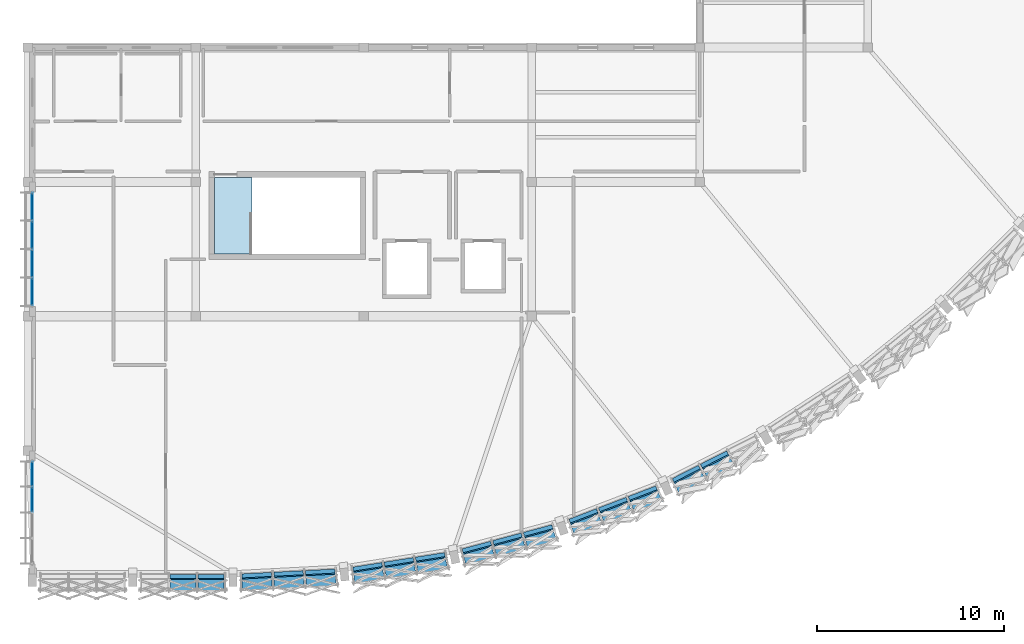
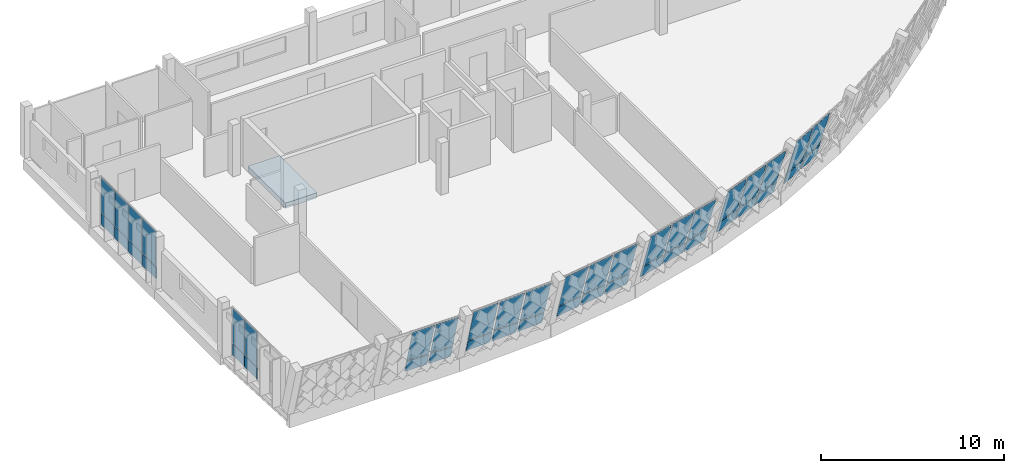
# One storey, part 18 of 24: 44 plates, 1 slab, 8 elements without a shape of their own.
"""IFC4 building model written with IfcOpenShell, lengths in metres."""

from ifc_helpers import new_model, si_unit, direction, frame, origin, origin_2d, place, context, subcontext, project, spatial, polyline, rectangle, outline, extrude, material, layer, layer_set, type_object, element, aggregate, save


model = new_model("IFC4")

# Units and contexts
model_context = context("Model", 3, precision=1e-05, world=origin(), true_north=direction((0.0, 1.0)))
body_context = subcontext(model_context, "Body", "Model", "MODEL_VIEW")
ifc_project = project(units=[si_unit("LENGTHUNIT", "METRE"), si_unit("AREAUNIT", "SQUARE_METRE"), si_unit("VOLUMEUNIT", "CUBIC_METRE"), si_unit("PLANEANGLEUNIT", "RADIAN"), si_unit("MASSUNIT", "GRAM", prefix="KILO")], contexts=[model_context])

# Site, building, storey
site_placement = place(None, origin())
site = spatial("IfcSite", under=ifc_project, at=site_placement, CompositionType="ELEMENT")
building_placement = place(site_placement, origin())
building = spatial("IfcBuilding", under=site, at=building_placement, Name="Chiffa Square Polytechnic", CompositionType="ELEMENT")
storey_placement = place(building_placement, frame((0.0, 0.0, 26.39990234375)))
storey = spatial("IfcBuildingStorey", under=building, at=storey_placement, Name="L06", CompositionType="ELEMENT", Elevation=26.39990234375)

# Curtain wall, plates
ifc_material_1 = material(Name="Aluminium EN AW-6060 T66 and glulam shading", Category="wood")
curtain_wall_type_1 = type_object("IfcCurtainWallType", Name="CW-PROW-LEAN-300", PredefinedType="USERDEFINED", material=ifc_material_1)
curtain_wall_1_placement = place(storey_placement, origin())
curtain_wall_1 = element("IfcCurtainWall", 1, at=curtain_wall_1_placement, inside=storey, type_object=curtain_wall_type_1, Name="Outward-leaning diamond-fin prow curtain wall CW-V1-L06-096", ObjectType="CURTAIN WALL", PredefinedType="USERDEFINED")
ifc_material_2 = material(Name="Double glazing", Category="glass")
ifc_layer_1 = layer(ifc_material_2, 0.035888671875, Name="Double glazing")
ifc_layer_set_1 = layer_set([ifc_layer_1], Name="Double glazing")
plate_type_1 = type_object("IfcPlateType", Name="CWP-GLZ-120X145", PredefinedType="CURTAIN_PANEL", material=ifc_layer_set_1)
plate_1_placement = place(storey_placement, frame((119.814208984375, 0.347412109375, 0.878173828125), z_axis=(0.0, 0.9622055391, 0.272324256219), x_axis=(1.0, 0.0, 0.0)))
plate_1 = element("IfcPlate", 2, at=plate_1_placement, type_object=plate_type_1, Name="Leaning prow curtain panel CW-V1-L06-096-PN02", PredefinedType="CURTAIN_PANEL", context=body_context, shape_type="SweptSolid", body=[
    extrude(outline(polyline([(0.0, 0.0), (1.396484375, 0.0), (1.396484375, -2.3820193236926053), (0.0, -2.3820193236926053), (0.0, 0.0)])), origin(), (0.0, 0.0, -1.0), 0.035888671875),
])
plate_2_placement = place(storey_placement, frame((121.319091796875, 0.347412109375, 0.878173828125), z_axis=(0.0, 0.9622055391, 0.272324256219), x_axis=(1.0, 0.0, 0.0)))
plate_2 = element("IfcPlate", 3, at=plate_2_placement, type_object=plate_type_1, Name="Leaning prow curtain panel CW-V1-L06-096-PN03", PredefinedType="CURTAIN_PANEL", context=body_context, shape_type="SweptSolid", body=[
    extrude(outline(polyline([(0.0, 0.0), (1.396728515625, 0.0), (1.396728515625, -2.3820193236926053), (0.0, -2.3820193236926053), (0.0, 0.0)])), origin(), (0.0, 0.0, -1.0), 0.035888671875),
])

curtain_wall_type_2 = type_object("IfcCurtainWallType", Name="CW-VERT-450X380", PredefinedType="USERDEFINED", material=ifc_material_1)
curtain_wall_2_placement = place(storey_placement, origin())
curtain_wall_2 = element("IfcCurtainWall", 4, at=curtain_wall_2_placement, inside=storey, type_object=curtain_wall_type_2, Name="Curtain wall CW-V1-L06-146", ObjectType="CURTAIN WALL", PredefinedType="USERDEFINED")
ifc_layer_2 = layer(ifc_material_2, 0.0439453125, Name="Double glazing")
ifc_layer_set_2 = layer_set([ifc_layer_2], Name="Double glazing")
plate_type_2 = type_object("IfcPlateType", Name="CWP-GLZ-134X118", PredefinedType="CURTAIN_PANEL", material=ifc_layer_set_2)
plate_3_placement = place(storey_placement, frame((112.449951171875, 5.9580078125, 0.840087890625), z_axis=(0.0, 0.0, 1.0), x_axis=(0.0, -1.0, 0.0)))
plate_3 = element("IfcPlate", 5, at=plate_3_placement, type_object=plate_type_2, Name="Glazed curtain panel CW-V1-L06-146-PN01", PredefinedType="CURTAIN_PANEL", context=body_context, shape_type="SweptSolid", body=[
    extrude(rectangle(XDim=1.306884765625, YDim=0.0439453125, at=origin_2d()), origin(), (0.0, 0.0, 1.0), 2.330078125),
])
plate_4_placement = place(storey_placement, frame((112.449951171875, 4.587890625, 0.840087890625), z_axis=(0.0, 0.0, 1.0), x_axis=(0.0, -1.0, 0.0)))
plate_4 = element("IfcPlate", 6, at=plate_4_placement, type_object=plate_type_2, Name="Glazed curtain panel CW-V1-L06-146-PN02", PredefinedType="CURTAIN_PANEL", context=body_context, shape_type="SweptSolid", body=[
    extrude(rectangle(XDim=1.3291015625, YDim=0.0439453125, at=origin_2d()), origin(), (0.0, 0.0, 1.0), 2.330078125),
])

curtain_wall_type_3 = type_object("IfcCurtainWallType", Name="CW-VERT-600X440", PredefinedType="USERDEFINED", material=ifc_material_1)
curtain_wall_3_placement = place(storey_placement, origin())
curtain_wall_3 = element("IfcCurtainWall", 7, at=curtain_wall_3_placement, inside=storey, type_object=curtain_wall_type_3, Name="Curtain wall CW-V1-L06-145", ObjectType="CURTAIN WALL", PredefinedType="USERDEFINED")
ifc_layer_3 = layer(ifc_material_2, 0.0419921875, Name="Double glazing")
ifc_layer_set_3 = layer_set([ifc_layer_3], Name="Double glazing")
plate_type_3 = type_object("IfcPlateType", Name="CWP-GLZ-136X122", PredefinedType="CURTAIN_PANEL", material=ifc_layer_set_3)
plate_5_placement = place(storey_placement, frame((112.449951171875, 20.283935546875, 0.840087890625), z_axis=(0.0, 0.0, 1.0), x_axis=(0.0, -1.0, 0.0)))
plate_5 = element("IfcPlate", 8, at=plate_5_placement, type_object=plate_type_3, Name="Glazed curtain panel CW-V1-L06-145-PN01", PredefinedType="CURTAIN_PANEL", context=body_context, shape_type="SweptSolid", body=[
    extrude(rectangle(XDim=1.4560546875, YDim=0.0419921875, at=origin_2d()), origin(), (0.0, 0.0, 1.0), 2.330078125),
])
plate_6_placement = place(storey_placement, frame((112.449951171875, 18.764892578125, 0.840087890625), z_axis=(0.0, 0.0, 1.0), x_axis=(0.0, -1.0, 0.0)))
plate_6 = element("IfcPlate", 9, at=plate_6_placement, type_object=plate_type_3, Name="Glazed curtain panel CW-V1-L06-145-PN02", PredefinedType="CURTAIN_PANEL", context=body_context, shape_type="SweptSolid", body=[
    extrude(rectangle(XDim=1.47802734375, YDim=0.0419921875, at=origin_2d()), origin(), (0.0, 0.0, 1.0), 2.330078125),
])
plate_7_placement = place(storey_placement, frame((112.449951171875, 17.235107421875, 0.840087890625), z_axis=(0.0, 0.0, 1.0), x_axis=(0.0, -1.0, 0.0)))
plate_7 = element("IfcPlate", 10, at=plate_7_placement, type_object=plate_type_3, Name="Glazed curtain panel CW-V1-L06-145-PN03", PredefinedType="CURTAIN_PANEL", context=body_context, shape_type="SweptSolid", body=[
    extrude(rectangle(XDim=1.47802734375, YDim=0.0419921875, at=origin_2d()), origin(), (0.0, 0.0, 1.0), 2.330078125),
])
plate_8_placement = place(storey_placement, frame((112.449951171875, 15.716064453125, 0.840087890625), z_axis=(0.0, 0.0, 1.0), x_axis=(0.0, -1.0, 0.0)))
plate_8 = element("IfcPlate", 11, at=plate_8_placement, type_object=plate_type_3, Name="Glazed curtain panel CW-V1-L06-145-PN04", PredefinedType="CURTAIN_PANEL", context=body_context, shape_type="SweptSolid", body=[
    extrude(rectangle(XDim=1.4560546875, YDim=0.0419921875, at=origin_2d()), origin(), (0.0, 0.0, 1.0), 2.330078125),
])

curtain_wall_type_4 = type_object("IfcCurtainWallType", Name="CW-PROW-LEAN-150", PredefinedType="USERDEFINED", material=ifc_material_1)
curtain_wall_4_placement = place(storey_placement, origin())
curtain_wall_4 = element("IfcCurtainWall", 12, at=curtain_wall_4_placement, inside=storey, type_object=curtain_wall_type_4, Name="Outward-leaning diamond-fin prow curtain wall CW-V1-L06-101", ObjectType="CURTAIN WALL", PredefinedType="USERDEFINED")
ifc_layer_4 = layer(ifc_material_2, 0.0400390625, Name="Double glazing")
ifc_layer_set_4 = layer_set([ifc_layer_4], Name="Double glazing")
plate_type_4 = type_object("IfcPlateType", Name="CWP-GLZ-140X130", PredefinedType="CURTAIN_PANEL", material=ifc_layer_set_4)
plate_9_placement = place(storey_placement, frame((146.822509765625, 5.498779296875, 0.878173828125), z_axis=(-0.436909812525, 0.857421657445, 0.271915275526), x_axis=(0.890993848319, 0.454015376648, 4.92241e-06)))
plate_9 = element("IfcPlate", 13, at=plate_9_placement, type_object=plate_type_4, Name="Leaning prow curtain panel CW-V1-L06-101-PN01", PredefinedType="CURTAIN_PANEL", context=body_context, shape_type="SweptSolid", body=[
    extrude(outline(polyline([(0.0, 0.0), (1.5799237563479638, 2.7755575615628914e-17), (1.5677944562868464, -2.3817250221468753), (-0.03298431279586946, -2.381741291892526), (0.0, 0.0)])), origin(), (0.0, 0.0, -1.0), 0.0400390625),
])
plate_10_placement = place(storey_placement, frame((148.33935546875, 6.271728515625, 0.878173828125), z_axis=(-0.43693927238, 0.857405601778, 0.27191856555), x_axis=(0.890976839237, 0.454048755008, -4.318133e-06)))
plate_10 = element("IfcPlate", 14, at=plate_10_placement, type_object=plate_type_4, Name="Leaning prow curtain panel CW-V1-L06-101-PN02", PredefinedType="CURTAIN_PANEL", context=body_context, shape_type="SweptSolid", body=[
    extrude(outline(polyline([(0.0, 0.0), (1.579706230570246, -2.7755575615628914e-17), (1.5902417263702622, -2.3817424782335688), (-0.010537042790455722, -2.381728206728913), (0.0, 0.0)])), origin(), (0.0, 0.0, -1.0), 0.0400390625),
])

curtain_wall_5_placement = place(storey_placement, origin())
curtain_wall_5 = element("IfcCurtainWall", 15, at=curtain_wall_5_placement, inside=storey, type_object=curtain_wall_type_1, Name="Outward-leaning diamond-fin prow curtain wall CW-V1-L06-100", ObjectType="CURTAIN WALL", PredefinedType="USERDEFINED")
ifc_layer_5 = layer(ifc_material_2, 0.0400390625, Name="Double glazing")
ifc_layer_set_5 = layer_set([ifc_layer_5], Name="Double glazing")
plate_type_5 = type_object("IfcPlateType", Name="CWP-GLZ-144X134", PredefinedType="CURTAIN_PANEL", material=ifc_layer_set_5)
plate_11_placement = place(storey_placement, frame((141.27294921875, 3.313720703125, 0.878173828125), z_axis=(-0.344786676387, 0.898454398365, 0.27184893203), x_axis=(0.933613034826, 0.358282990146, -1.3217072e-05)))
plate_11 = element("IfcPlate", 16, at=plate_11_placement, type_object=plate_type_5, Name="Leaning prow curtain panel CW-V1-L06-100-PN01", PredefinedType="CURTAIN_PANEL", context=body_context, shape_type="SweptSolid", body=[
    extrude(outline(polyline([(0.0, 0.0), (1.5800166529707897, 0.0), (1.5678839196188012, -2.381708186175665), (-0.03299150593267062, -2.3816644988288753), (0.0, 0.0)])), origin(), (0.0, 0.0, -1.0), 0.0400390625),
])
plate_12_placement = place(storey_placement, frame((142.8623046875, 3.923828125, 0.878173828125), z_axis=(-0.3448430975, 0.898408960802, 0.271927522065), x_axis=(0.933589257648, 0.358344942722, 5.53015e-06)))
plate_12 = element("IfcPlate", 17, at=plate_12_placement, type_object=plate_type_5, Name="Leaning prow curtain panel CW-V1-L06-100-PN02", PredefinedType="CURTAIN_PANEL", context=body_context, shape_type="SweptSolid", body=[
    extrude(outline(polyline([(0.0, 0.0), (1.580016654511493, 0.0), (1.5906006309125456, -2.381732465642904), (-0.010362272094110794, -2.3817507457739273), (0.0, 0.0)])), origin(), (0.0, 0.0, -1.0), 0.0400390625),
])
plate_13_placement = place(storey_placement, frame((144.451904296875, 4.533935546875, 0.878173828125), z_axis=(-0.344892383283, 0.898389626363, 0.271928893639), x_axis=(0.933569532611, 0.358396327757, 5.435535e-06)))
plate_13 = element("IfcPlate", 18, at=plate_13_placement, type_object=plate_type_5, Name="Leaning prow curtain panel CW-V1-L06-100-PN03", PredefinedType="CURTAIN_PANEL", context=body_context, shape_type="SweptSolid", body=[
    extrude(outline(polyline([(0.0, 0.0), (1.5797887281678509, 0.0), (1.6128256255377644, -2.381733455740014), (0.012090645228946737, -2.381751420548637), (0.0, 0.0)])), origin(), (0.0, 0.0, -1.0), 0.0400390625),
])

curtain_wall_6_placement = place(storey_placement, origin())
curtain_wall_6 = element("IfcCurtainWall", 19, at=curtain_wall_6_placement, inside=storey, type_object=curtain_wall_type_4, Name="Outward-leaning diamond-fin prow curtain wall CW-V1-L06-099", ObjectType="CURTAIN WALL", PredefinedType="USERDEFINED")
ifc_layer_6 = layer(ifc_material_2, 0.0380859375, Name="Double glazing")
ifc_layer_set_6 = layer_set([ifc_layer_6], Name="Double glazing")
plate_type_6 = type_object("IfcPlateType", Name="CWP-GLZ-146X138", PredefinedType="CURTAIN_PANEL", material=ifc_layer_set_6)
plate_14_placement = place(storey_placement, frame((135.52587890625, 1.7197265625, 0.878173828125), z_axis=(-0.249300779563, 0.929467173109, 0.271918913321), x_axis=(0.965861695021, 0.259058267352, 1.4409048e-05)))
plate_14 = element("IfcPlate", 20, at=plate_14_placement, type_object=plate_type_6, Name="Leaning prow curtain panel CW-V1-L06-099-PN01", PredefinedType="CURTAIN_PANEL", context=body_context, shape_type="SweptSolid", body=[
    extrude(outline(polyline([(0.0, 0.0), (1.579789367666892, 0.0), (1.5674065539781037, -2.381712116791202), (-0.033409391041289295, -2.3817597407473423), (0.0, 0.0)])), origin(), (0.0, 0.0, -1.0), 0.0380859375),
])
plate_15_placement = place(storey_placement, frame((137.170166015625, 2.160888671875, 0.878173828125), z_axis=(-0.249209997653, 0.929477952124, 0.271965280111), x_axis=(0.965885013291, 0.258971313275, 2.79352e-07)))
plate_15 = element("IfcPlate", 21, at=plate_15_placement, type_object=plate_type_6, Name="Leaning prow curtain panel CW-V1-L06-099-PN02", PredefinedType="CURTAIN_PANEL", context=body_context, shape_type="SweptSolid", body=[
    extrude(outline(polyline([(0.0, 0.0), (1.5800251804521968, -1.3877787807814457e-17), (1.5901097106637059, -2.381767554056141), (-0.010642994198141435, -2.3817684774182935), (0.0, 0.0)])), origin(), (0.0, 0.0, -1.0), 0.0380859375),
])
plate_16_placement = place(storey_placement, frame((138.814697265625, 2.601806640625, 0.878173828125), z_axis=(-0.249300704356, 0.929466892714, 0.27191994071), x_axis=(0.965861695029, 0.259058267322, 1.4409098e-05)))
plate_16 = element("IfcPlate", 22, at=plate_16_placement, type_object=plate_type_6, Name="Leaning prow curtain panel CW-V1-L06-099-PN03", PredefinedType="CURTAIN_PANEL", context=body_context, shape_type="SweptSolid", body=[
    extrude(outline(polyline([(0.0, 0.0), (1.5797893676668933, -2.7755575615628914e-17), (1.6126516811249705, -2.381712157738772), (0.01183573610558143, -2.3817597818748495), (0.0, 0.0)])), origin(), (0.0, 0.0, -1.0), 0.0380859375),
])

curtain_wall_7_placement = place(storey_placement, origin())
curtain_wall_7 = element("IfcCurtainWall", 23, at=curtain_wall_7_placement, inside=storey, type_object=curtain_wall_type_1, Name="Outward-leaning diamond-fin prow curtain wall CW-V1-L06-098", ObjectType="CURTAIN WALL", PredefinedType="USERDEFINED")
ifc_layer_7 = layer(ifc_material_2, 0.0380859375, Name="Double glazing")
ifc_layer_set_7 = layer_set([ifc_layer_7], Name="Double glazing")
plate_type_7 = type_object("IfcPlateType", Name="CWP-GLZ-148X142", PredefinedType="CURTAIN_PANEL", material=ifc_layer_set_7)
plate_17_placement = place(storey_placement, frame((129.6435546875, 0.736328125, 0.878173828125), z_axis=(-0.15062483728, 0.950436074762, 0.271998945193), x_axis=(0.987673240892, 0.156529770548, -1.2571771e-05)))
plate_17 = element("IfcPlate", 24, at=plate_17_placement, type_object=plate_type_7, Name="Leaning prow curtain panel CW-V1-L06-098-PN01", PredefinedType="CURTAIN_PANEL", context=body_context, shape_type="SweptSolid", body=[
    extrude(outline(polyline([(0.0, 0.0), (1.579540201871366, 0.0), (1.567297432245007, -2.381812041962707), (-0.03347684817465922, -2.381770493291026), (0.0, 0.0)])), origin(), (0.0, 0.0, -1.0), 0.0380859375),
])
plate_18_placement = place(storey_placement, frame((131.32470703125, 1.002685546875, 0.878173828125), z_axis=(-0.150615487594, 0.950450945987, 0.271952154193), x_axis=(0.987675262769, 0.156517012575, -9.381719e-06)))
plate_18 = element("IfcPlate", 25, at=plate_18_placement, type_object=plate_type_7, Name="Leaning prow curtain panel CW-V1-L06-098-PN02", PredefinedType="CURTAIN_PANEL", context=body_context, shape_type="SweptSolid", body=[
    extrude(outline(polyline([(0.0, 0.0), (1.5797813325433683, 1.3877787807814457e-17), (1.5900704069163532, -2.3817743363567896), (-0.010703874479279079, -2.381743328618513), (0.0, 0.0)])), origin(), (0.0, 0.0, -1.0), 0.0380859375),
])
plate_19_placement = place(storey_placement, frame((133.005859375, 1.269287109375, 0.878173828125), z_axis=(-0.150550722731, 0.950434543013, 0.272045325878), x_axis=(0.987686275697, 0.15644750112, 1.3870504e-05)))
plate_19 = element("IfcPlate", 26, at=plate_19_placement, type_object=plate_type_7, Name="Leaning prow curtain panel CW-V1-L06-098-PN03", PredefinedType="CURTAIN_PANEL", context=body_context, shape_type="SweptSolid", body=[
    extrude(outline(polyline([(0.0, 0.0), (1.5797431296668099, 0.0), (1.6126090457943405, -2.3818007734814723), (0.012075898506862514, -2.381846614432183), (0.0, 0.0)])), origin(), (0.0, 0.0, -1.0), 0.0380859375),
])

curtain_wall_8_placement = place(storey_placement, origin())
curtain_wall_8 = element("IfcCurtainWall", 27, at=curtain_wall_8_placement, inside=storey, type_object=curtain_wall_type_4, Name="Outward-leaning diamond-fin prow curtain wall CW-V1-L06-097", ObjectType="CURTAIN WALL", PredefinedType="USERDEFINED")
ifc_layer_8 = layer(ifc_material_2, 0.035888671875, Name="Double glazing")
ifc_layer_set_8 = layer_set([ifc_layer_8], Name="Double glazing")
plate_type_8 = type_object("IfcPlateType", Name="CWP-GLZ-180X140", PredefinedType="CURTAIN_PANEL", material=ifc_layer_set_8)
plate_20_placement = place(storey_placement, frame((123.690185546875, 0.373779296875, 0.878173828125), z_axis=(-0.050155042758, 0.960997211023, 0.271972116386), x_axis=(0.998640997579, 0.052116771276, 1.0332271e-05)))
plate_20 = element("IfcPlate", 28, at=plate_20_placement, type_object=plate_type_8, Name="Leaning prow curtain panel CW-V1-L06-097-PN01", PredefinedType="CURTAIN_PANEL", context=body_context, shape_type="SweptSolid", body=[
    extrude(outline(polyline([(0.0, 0.0), (1.5797806343441558, 6.938893903907228e-18), (1.5677597287585823, -2.3817559647805324), (-0.03305208469889139, -2.381790114804808), (0.0, 0.0)])), origin(), (0.0, 0.0, -1.0), 0.035888671875),
])
plate_21_placement = place(storey_placement, frame((125.39013671875, 0.46240234375, 0.878173828125), z_axis=(-0.050228212969, 0.960983898119, 0.272005651003), x_axis=(0.998636699714, 0.05219906019, -9.997983e-06)))
plate_21 = element("IfcPlate", 29, at=plate_21_placement, type_object=plate_type_8, Name="Leaning prow curtain panel CW-V1-L06-097-PN02", PredefinedType="CURTAIN_PANEL", context=body_context, shape_type="SweptSolid", body=[
    extrude(outline(polyline([(0.0, 0.0), (1.5797933681384178, 0.0), (1.5903975934569299, -2.381812781468613), (-0.010414220095586868, -2.381779735870554), (0.0, 0.0)])), origin(), (0.0, 0.0, -1.0), 0.035888671875),
])
plate_22_placement = place(storey_placement, frame((127.090087890625, 0.55126953125, 0.878173828125), z_axis=(-0.050227081979, 0.960962259631, 0.272082296008), x_axis=(0.998636699631, 0.05219906178, -1.0000575e-05)))
plate_22 = element("IfcPlate", 30, at=plate_22_placement, type_object=plate_type_8, Name="Leaning prow curtain panel CW-V1-L06-097-PN03", PredefinedType="CURTAIN_PANEL", context=body_context, shape_type="SweptSolid", body=[
    extrude(outline(polyline([(0.0, 0.0), (1.579793368138466, 0.0), (1.6128788786259254, -2.3818666519129077), (0.012067065073553433, -2.381833597003351), (0.0, 0.0)])), origin(), (0.0, 0.0, -1.0), 0.035888671875),
])

# Plate
ifc_material_3 = material(Name="Aluminium insulated spandrel", Category="aluminium")
ifc_layer_9 = layer(ifc_material_3, 0.072021484375, Name="Aluminium insulated spandrel")
ifc_layer_set_9 = layer_set([ifc_layer_9], Name="Aluminium insulated spandrel")
plate_type_9 = type_object("IfcPlateType", Name="CWP-SPN-136X072", PredefinedType="SHEET", material=ifc_layer_set_9)
plate_23_placement = place(storey_placement, frame((146.72705078125, 5.712890625, 0.050048828125), z_axis=(-0.436899493986, 0.857399416452, 0.272001972094), x_axis=(0.89099685964, 0.454009465877, 3.1713053e-05)))
plate_23 = element("IfcPlate", 31, at=plate_23_placement, type_object=plate_type_9, Name="Leaning prow curtain panel CW-V1-L06-101-SP01", PredefinedType="SHEET", context=body_context, shape_type="SweptSolid", body=[
    extrude(outline(polyline([(0.0, 0.0), (1.572170324553921, -2.7755575615628914e-17), (1.5682422111974996, -0.8021672814411267), (-0.011246487462572638, -0.8022711462148887), (0.0, 0.0)])), origin(), (0.0, 0.0, -1.0), 0.072021484375),
])

plate_24_placement = place(storey_placement, frame((148.236572265625, 6.48193359375, 0.050048828125), z_axis=(-0.4369511797, 0.857351743142, 0.272069210111), x_axis=(0.890960264469, 0.454081278095, -4.54545e-06)))
plate_24 = element("IfcPlate", 32, at=plate_24_placement, type_object=plate_type_9, Name="Leaning prow curtain panel CW-V1-L06-101-SP02", PredefinedType="SHEET", context=body_context, shape_type="SweptSolid", body=[
    extrude(outline(polyline([(0.0, 0.0), (1.5720636460960287, 0.0), (1.5756216950232247, -0.8022422523411659), (-0.003538636495517039, -0.8022273671057996), (0.0, 0.0)])), origin(), (0.0, 0.0, -1.0), 0.072021484375),
])

aggregate(curtain_wall_4, [plate_23, plate_9, plate_24, plate_10])

ifc_layer_10 = layer(ifc_material_3, 0.070068359375, Name="Aluminium insulated spandrel")
ifc_layer_set_10 = layer_set([ifc_layer_10], Name="Aluminium insulated spandrel")
plate_type_10 = type_object("IfcPlateType", Name="CWP-SPN-138X074", PredefinedType="SHEET", material=ifc_layer_set_10)
plate_25_placement = place(storey_placement, frame((141.2001953125, 3.536376953125, 0.050048828125), z_axis=(-0.34482214312, 0.898430888678, 0.271881643154), x_axis=(0.933598211638, 0.358321614166, -6.878351e-06)))
plate_25 = element("IfcPlate", 33, at=plate_25_placement, type_object=plate_type_10, Name="Leaning prow curtain panel CW-V1-L06-100-SP01", PredefinedType="SHEET", context=body_context, shape_type="SweptSolid", body=[
    extrude(outline(polyline([(0.0, 0.0), (1.572444417010741, -2.7755575615628914e-17), (1.5684736038529963, -0.802201827778855), (-0.010999711560062547, -0.8021792991456208), (0.0, 0.0)])), origin(), (0.0, 0.0, -1.0), 0.070068359375),
])

plate_26_placement = place(storey_placement, frame((142.781982421875, 4.1435546875, 0.050048828125), z_axis=(-0.344818670943, 0.898421841952, 0.27191593935), x_axis=(0.933598211463, 0.358321614623, -6.879149e-06)))
plate_26 = element("IfcPlate", 34, at=plate_26_placement, type_object=plate_type_10, Name="Leaning prow curtain panel CW-V1-L06-100-SP02", PredefinedType="SHEET", context=body_context, shape_type="SweptSolid", body=[
    extrude(outline(polyline([(0.0, 0.0), (1.5724444170107512, 0.0), (1.5760458408966276, -0.8022099610412459), (-0.0034274745164007987, -0.8021874295661634), (0.0, 0.0)])), origin(), (0.0, 0.0, -1.0), 0.070068359375),
])

plate_27_placement = place(storey_placement, frame((144.364013671875, 4.750732421875, 0.050048828125), z_axis=(-0.344845223633, 0.898416479729, 0.271899982879), x_axis=(0.933587526457, 0.358349452689, -1.4176005e-05)))
plate_27 = element("IfcPlate", 35, at=plate_27_placement, type_object=plate_type_10, Name="Leaning prow curtain panel CW-V1-L06-100-SP03", PredefinedType="SHEET", context=body_context, shape_type="SweptSolid", body=[
    extrude(outline(polyline([(0.0, 0.0), (1.5722164906902094, 0.0), (1.5833780129746207, -0.8022182611153444), (0.003904699709291092, -0.8021718336131762), (0.0, 0.0)])), origin(), (0.0, 0.0, -1.0), 0.070068359375),
])

aggregate(curtain_wall_5, [plate_25, plate_11, plate_26, plate_12, plate_27, plate_13])

ifc_layer_11 = layer(ifc_material_3, 0.068115234375, Name="Aluminium insulated spandrel")
ifc_layer_set_11 = layer_set([ifc_layer_11], Name="Aluminium insulated spandrel")
plate_type_11 = type_object("IfcPlateType", Name="CWP-SPN-140X076", PredefinedType="SHEET", material=ifc_layer_set_11)
plate_28_placement = place(storey_placement, frame((135.476806640625, 1.948974609375, 0.050048828125), z_axis=(-0.249175965962, 0.929471820384, 0.272017413227), x_axis=(0.96589268364, 0.2589427033, -9.938152e-06)))
plate_28 = element("IfcPlate", 36, at=plate_28_placement, type_object=plate_type_11, Name="Leaning prow curtain panel CW-V1-L06-099-SP01", PredefinedType="SHEET", context=body_context, shape_type="SweptSolid", body=[
    extrude(outline(polyline([(0.0, 0.0), (1.5724450229559768, 0.0), (1.5682636841084336, -0.8022387984214563), (-0.011226649898572, -0.8022062465529843), (0.0, 0.0)])), origin(), (0.0, 0.0, -1.0), 0.068115234375),
])

plate_29_placement = place(storey_placement, frame((137.11328125, 2.3876953125, 0.050048828125), z_axis=(-0.249254619405, 0.929487172241, 0.271892867402), x_axis=(0.965874741565, 0.259009620504, 9.641134e-06)))
plate_29 = element("IfcPlate", 37, at=plate_29_placement, type_object=plate_type_11, Name="Leaning prow curtain panel CW-V1-L06-099-SP02", PredefinedType="SHEET", context=body_context, shape_type="SweptSolid", body=[
    extrude(outline(polyline([(0.0, 0.0), (1.572445023016864, -1.3877787807814457e-17), (1.5759070671904403, -0.8021774721550337), (-0.0036464933576380106, -0.8022090506341452), (0.0, 0.0)])), origin(), (0.0, 0.0, -1.0), 0.068115234375),
])

plate_30_placement = place(storey_placement, frame((138.749755859375, 2.826416015625, 0.050048828125), z_axis=(-0.249269688968, 0.929468825283, 0.271941767642), x_axis=(0.96586705645, 0.259038276462, -2.4349993e-05)))
plate_30 = element("IfcPlate", 38, at=plate_30_placement, type_object=plate_type_11, Name="Leaning prow curtain panel CW-V1-L06-099-SP03", PredefinedType="SHEET", context=body_context, shape_type="SweptSolid", body=[
    extrude(outline(polyline([(0.0, 0.0), (1.5725082621065019, 0.0), (1.5834545107154199, -0.8022448461257957), (0.004199998564261755, -0.8021650952095786), (0.0, 0.0)])), origin(), (0.0, 0.0, -1.0), 0.068115234375),
])

aggregate(curtain_wall_6, [plate_28, plate_14, plate_29, plate_15, plate_30, plate_16])

ifc_layer_12 = layer(ifc_material_3, 0.06591796875, Name="Aluminium insulated spandrel")
ifc_layer_set_12 = layer_set([ifc_layer_12], Name="Aluminium insulated spandrel")
plate_type_12 = type_object("IfcPlateType", Name="CWP-SPN-144X078", PredefinedType="SHEET", material=ifc_layer_set_12)
plate_31_placement = place(storey_placement, frame((129.61865234375, 0.969482421875, 0.050048828125), z_axis=(-0.150598587583, 0.95041128441, 0.272100084315), x_axis=(0.987676994809, 0.156506082465, -8.770475e-06)))
plate_31 = element("IfcPlate", 39, at=plate_31_placement, type_object=plate_type_12, Name="Leaning prow curtain panel CW-V1-L06-098-SP01", PredefinedType="SHEET", context=body_context, shape_type="SweptSolid", body=[
    extrude(outline(polyline([(0.0, 0.0), (1.5721151899679378, -1.3877787807814457e-17), (1.5679140544833126, -0.8022563781556686), (-0.0111056716624832, -0.8022276575464796), (0.0, 0.0)])), origin(), (0.0, 0.0, -1.0), 0.06591796875),
])

plate_32_placement = place(storey_placement, frame((131.2919921875, 1.234619140625, 0.050048828125), z_axis=(-0.150545588758, 0.950472818177, 0.271914412294), x_axis=(0.987687820959, 0.156437745643, 8.162662e-06)))
plate_32 = element("IfcPlate", 40, at=plate_32_placement, type_object=plate_type_12, Name="Leaning prow curtain panel CW-V1-L06-098-SP02", PredefinedType="SHEET", context=body_context, shape_type="SweptSolid", body=[
    extrude(outline(polyline([(0.0, 0.0), (1.5718358553084126, 0.0), (1.5753672319194374, -0.8021849723224777), (-0.0036524943694531907, -0.8022116987023622), (0.0, 0.0)])), origin(), (0.0, 0.0, -1.0), 0.06591796875),
])

plate_33_placement = place(storey_placement, frame((132.965087890625, 1.49951171875, 0.050048828125), z_axis=(-0.150625557668, 0.950506922572, 0.27175086296), x_axis=(0.987674956988, 0.156518941972, -1.1947217e-05)))
plate_33 = element("IfcPlate", 41, at=plate_33_placement, type_object=plate_type_12, Name="Leaning prow curtain panel CW-V1-L06-098-SP03", PredefinedType="SHEET", context=body_context, shape_type="SweptSolid", body=[
    extrude(outline(polyline([(0.0, 0.0), (1.571874058836526, 0.0), (1.5830381251740842, -0.8021794786508172), (0.004018399950707369, -0.8021403621954718), (0.0, 0.0)])), origin(), (0.0, 0.0, -1.0), 0.06591796875),
])

aggregate(curtain_wall_7, [plate_31, plate_17, plate_32, plate_18, plate_33, plate_19])

plate_34_placement = place(storey_placement, frame((112.449951171875, 5.9580078125, 0.050048828125), z_axis=(0.0, 0.0, 1.0), x_axis=(0.0, -1.0, 0.0)))
plate_34 = element("IfcPlate", 42, at=plate_34_placement, type_object=plate_type_12, Name="Spandrel panel CW-V1-L06-146-SP01", PredefinedType="SHEET", context=body_context, shape_type="SweptSolid", body=[
    extrude(rectangle(XDim=1.306884765625, YDim=0.06591796875, at=origin_2d()), origin(), (0.0, 0.0, 1.0), 0.75),
])

plate_35_placement = place(storey_placement, frame((112.449951171875, 4.587890625, 0.050048828125), z_axis=(0.0, 0.0, 1.0), x_axis=(0.0, -1.0, 0.0)))
plate_35 = element("IfcPlate", 43, at=plate_35_placement, type_object=plate_type_12, Name="Spandrel panel CW-V1-L06-146-SP02", PredefinedType="SHEET", context=body_context, shape_type="SweptSolid", body=[
    extrude(rectangle(XDim=1.3291015625, YDim=0.06591796875, at=origin_2d()), origin(), (0.0, 0.0, 1.0), 0.75),
])

aggregate(curtain_wall_2, [plate_34, plate_3, plate_35, plate_4])

ifc_layer_13 = layer(ifc_material_3, 0.06396484375, Name="Aluminium insulated spandrel")
ifc_layer_set_13 = layer_set([ifc_layer_13], Name="Aluminium insulated spandrel")
plate_type_13 = type_object("IfcPlateType", Name="CWP-SPN-146X082", PredefinedType="SHEET", material=ifc_layer_set_13)
plate_36_placement = place(storey_placement, frame((123.68994140625, 0.60791015625, 0.050048828125), z_axis=(-0.05024535225, 0.960998272784, 0.271951694759), x_axis=(0.998636104242, 0.052210451129, 9.815975e-06)))
plate_36 = element("IfcPlate", 44, at=plate_36_placement, type_object=plate_type_13, Name="Leaning prow curtain panel CW-V1-L06-097-SP01", PredefinedType="SHEET", context=body_context, shape_type="SweptSolid", body=[
    extrude(outline(polyline([(0.0, 0.0), (1.572209838369773, -3.469446951953614e-18), (1.5681488492047952, -0.8021911216761949), (-0.011156904185800334, -0.8022232684559594), (0.0, 0.0)])), origin(), (0.0, 0.0, -1.0), 0.06396484375),
])

plate_37_placement = place(storey_placement, frame((125.381591796875, 0.6962890625, 0.050048828125), z_axis=(-0.050246709609, 0.961024233778, 0.271859688563), x_axis=(0.998636104144, 0.052210453003, 9.812919e-06)))
plate_37 = element("IfcPlate", 45, at=plate_37_placement, type_object=plate_type_13, Name="Leaning prow curtain panel CW-V1-L06-097-SP02", PredefinedType="SHEET", context=body_context, shape_type="SweptSolid", body=[
    extrude(outline(polyline([(0.0, 0.0), (1.5722098383697176, 0.0), (1.5759761843852909, -0.8021693765460554), (-0.003329569005470715, -0.8022015124499806), (0.0, 0.0)])), origin(), (0.0, 0.0, -1.0), 0.06396484375),
])

plate_38_placement = place(storey_placement, frame((127.073486328125, 0.78466796875, 0.050048828125), z_axis=(-0.050248126818, 0.960976787361, 0.272027094064), x_axis=(0.998635908734, 0.052214190297, 1.0877373e-05)))
plate_38 = element("IfcPlate", 46, at=plate_38_placement, type_object=plate_type_13, Name="Leaning prow curtain panel CW-V1-L06-097-SP03", PredefinedType="SHEET", context=body_context, shape_type="SweptSolid", body=[
    extrude(outline(polyline([(0.0, 0.0), (1.5722098381370133, 3.469446951953614e-18), (1.5833031654055518, -0.8022069863666775), (0.004241219401069835, -0.8022426072012047), (0.0, 0.0)])), origin(), (0.0, 0.0, -1.0), 0.06396484375),
])

aggregate(curtain_wall_8, [plate_36, plate_20, plate_37, plate_21, plate_38, plate_22])

plate_39_placement = place(storey_placement, frame((112.449951171875, 20.283935546875, 0.050048828125), z_axis=(0.0, 0.0, 1.0), x_axis=(0.0, -1.0, 0.0)))
plate_39 = element("IfcPlate", 47, at=plate_39_placement, type_object=plate_type_13, Name="Spandrel panel CW-V1-L06-145-SP01", PredefinedType="SHEET", context=body_context, shape_type="SweptSolid", body=[
    extrude(rectangle(XDim=1.4560546875, YDim=0.06396484375, at=origin_2d()), origin(), (0.0, 0.0, 1.0), 0.75),
])

plate_40_placement = place(storey_placement, frame((112.449951171875, 18.764892578125, 0.050048828125), z_axis=(0.0, 0.0, 1.0), x_axis=(0.0, -1.0, 0.0)))
plate_40 = element("IfcPlate", 48, at=plate_40_placement, type_object=plate_type_13, Name="Spandrel panel CW-V1-L06-145-SP02", PredefinedType="SHEET", context=body_context, shape_type="SweptSolid", body=[
    extrude(rectangle(XDim=1.47802734375, YDim=0.06396484375, at=origin_2d()), origin(), (0.0, 0.0, 1.0), 0.75),
])

plate_41_placement = place(storey_placement, frame((112.449951171875, 17.235107421875, 0.050048828125), z_axis=(0.0, 0.0, 1.0), x_axis=(0.0, -1.0, 0.0)))
plate_41 = element("IfcPlate", 49, at=plate_41_placement, type_object=plate_type_13, Name="Spandrel panel CW-V1-L06-145-SP03", PredefinedType="SHEET", context=body_context, shape_type="SweptSolid", body=[
    extrude(rectangle(XDim=1.47802734375, YDim=0.06396484375, at=origin_2d()), origin(), (0.0, 0.0, 1.0), 0.75),
])

plate_42_placement = place(storey_placement, frame((112.449951171875, 15.716064453125, 0.050048828125), z_axis=(0.0, 0.0, 1.0), x_axis=(0.0, -1.0, 0.0)))
plate_42 = element("IfcPlate", 50, at=plate_42_placement, type_object=plate_type_13, Name="Spandrel panel CW-V1-L06-145-SP04", PredefinedType="SHEET", context=body_context, shape_type="SweptSolid", body=[
    extrude(rectangle(XDim=1.4560546875, YDim=0.06396484375, at=origin_2d()), origin(), (0.0, 0.0, 1.0), 0.75),
])

aggregate(curtain_wall_3, [plate_39, plate_5, plate_40, plate_6, plate_41, plate_7, plate_42, plate_8])

ifc_layer_14 = layer(ifc_material_3, 0.06201171875, Name="Aluminium insulated spandrel")
ifc_layer_set_14 = layer_set([ifc_layer_14], Name="Aluminium insulated spandrel")
plate_type_14 = type_object("IfcPlateType", Name="CWP-SPN-148X084", PredefinedType="SHEET", material=ifc_layer_set_14)
plate_43_placement = place(storey_placement, frame((119.814208984375, 0.581787109375, 0.050048828125), z_axis=(0.0, 0.962198523194, 0.272349044358), x_axis=(1.0, 0.0, 0.0)))
plate_43 = element("IfcPlate", 51, at=plate_43_placement, type_object=plate_type_14, Name="Leaning prow curtain panel CW-V1-L06-096-SP02", PredefinedType="SHEET", context=body_context, shape_type="SweptSolid", body=[
    extrude(outline(polyline([(0.0, 0.0), (1.396484375, 0.0), (1.396484375, -0.8023008117775327), (0.0, -0.8023008117775327), (0.0, 0.0)])), origin(), (0.0, 0.0, -1.0), 0.06201171875),
])

plate_44_placement = place(storey_placement, frame((121.319091796875, 0.581787109375, 0.050048828125), z_axis=(0.0, 0.962198523194, 0.272349044358), x_axis=(1.0, 0.0, 0.0)))
plate_44 = element("IfcPlate", 52, at=plate_44_placement, type_object=plate_type_14, Name="Leaning prow curtain panel CW-V1-L06-096-SP03", PredefinedType="SHEET", context=body_context, shape_type="SweptSolid", body=[
    extrude(outline(polyline([(0.0, 0.0), (1.396728515625, 0.0), (1.396728515625, -0.8023008117775327), (0.0, -0.8023008117775327), (0.0, 0.0)])), origin(), (0.0, 0.0, -1.0), 0.06201171875),
])

aggregate(curtain_wall_1, [plate_43, plate_1, plate_44, plate_2])

# Slab
ifc_material_4 = material(Name="Concrete C40/50", Category="concrete")
ifc_layer_15 = layer(ifc_material_4, 0.35009765625, Name="Concrete C40/50")
ifc_layer_set_15 = layer_set([ifc_layer_15], Name="Concrete C40/50")
slab_type = type_object("IfcSlabType", Name="SLB-FLR-350", PredefinedType="FLOOR", material=ifc_layer_set_15)
slab_placement = place(storey_placement, frame((0.0, 0.0, -0.349853515625)))
element("IfcSlab", 53, at=slab_placement, inside=storey, type_object=slab_type, Name="Stair core floor landing slab SLB-CORE-CORE-V1A-L06", PredefinedType="FLOOR", context=body_context, shape_type="SweptSolid", body=[
    extrude(outline(polyline([(122.199951171875, 17.75), (124.2119140625, 17.75), (124.2119140625, 21.85009765625), (122.199951171875, 21.85009765625), (122.199951171875, 17.75)])), origin(), (0.0, 0.0, 1.0), 0.349853515625),
])

save(model, "model.ifc")
